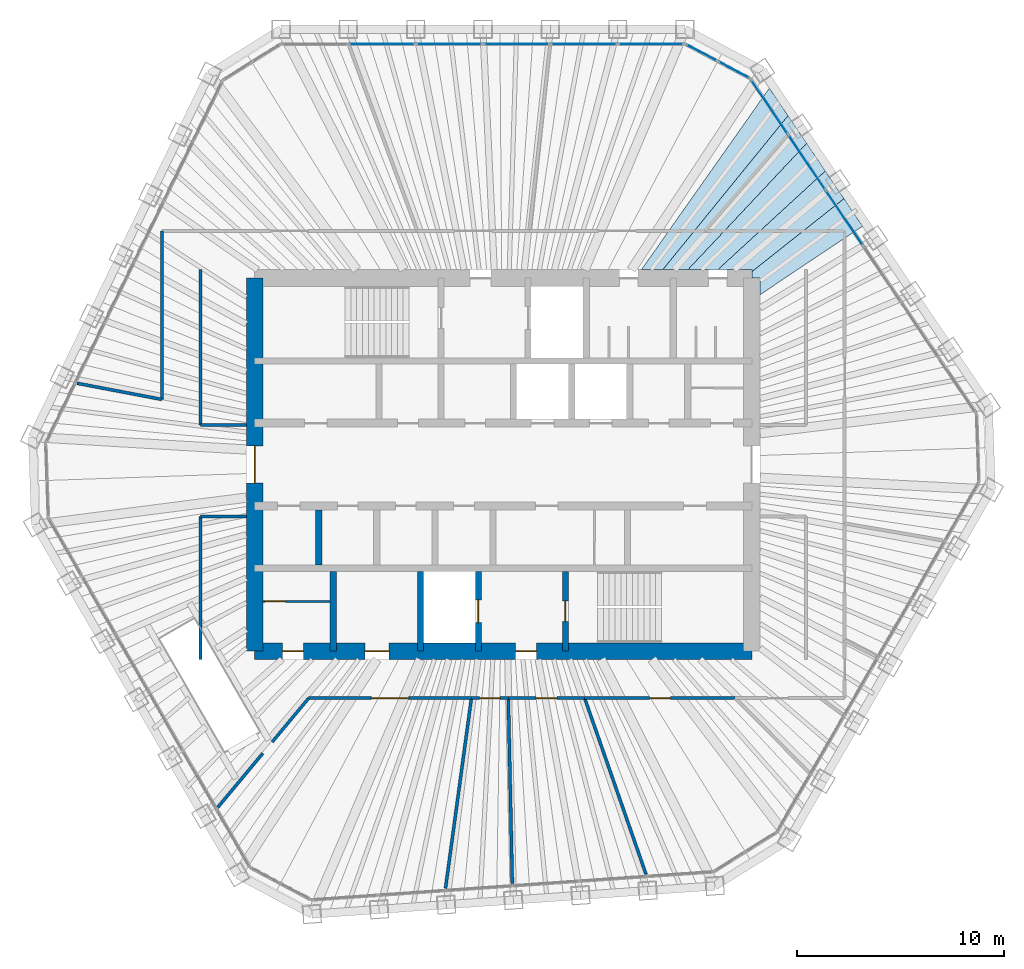
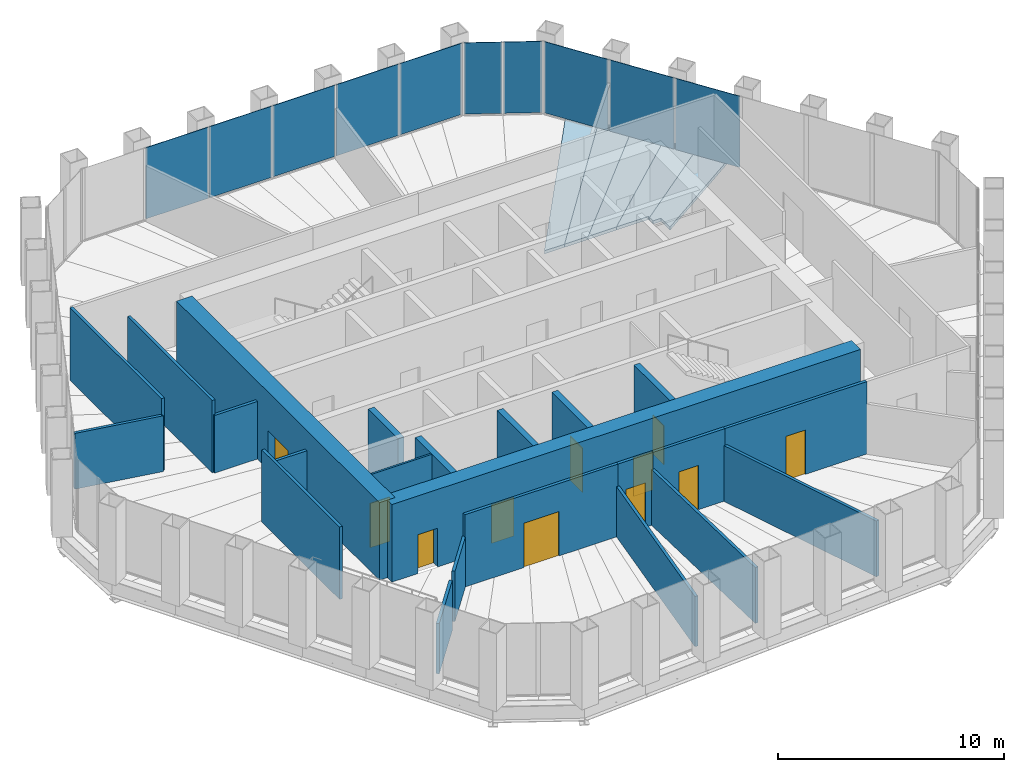
# One storey, part 11 of 14: 23 walls, 11 doors, 10 plates, 5 slabs, 11 openings, 3 elements without a shape of their own.
"""IFC4 building model written with IfcOpenShell, lengths in metres."""

import ifcopenshell
import ifcopenshell.guid

model = None  # the IFC model being written
_history = None  # IfcOwnerHistory: only IFC2X3 demands one
_inside = {}  # id of a spatial element -> (the spatial element, [elements in it])
_under = {}  # id of a project, library or spatial element -> (it, [spatial elements below it])
_declared = {}  # id of a project -> (the project, [libraries it declares])
_typed = {}  # id of a type object -> (the type object, [elements of that type])
_made_of = {}  # id of a material, layer set ... -> (it, [elements and type objects made of it])


def new_model(schema):
    """Start an empty IFC model of exactly this schema.

    Asked for "IFC4X3", IfcOpenShell would pick the latest addendum, in which some entities
    have other attributes; the version numbers below select the first issue.
    IFC2X3 requires an IfcOwnerHistory on every rooted entity: one is made here for all.
    """
    global model, _history
    if schema == "IFC4X3":
        model = ifcopenshell.file(schema_version=(4, 3, 0, 0))
    else:
        model = ifcopenshell.file(schema=schema)
    _inside.clear()
    _under.clear()
    _declared.clear()
    _typed.clear()
    _made_of.clear()
    _history = None
    if model.schema == "IFC2X3":
        org = make("IfcOrganization", Name="unknown")
        user = make(
            "IfcPersonAndOrganization",
            ThePerson=make("IfcPerson", FamilyName="unknown"),
            TheOrganization=org,
        )
        app = make(
            "IfcApplication",
            ApplicationDeveloper=org,
            Version="unknown",
            ApplicationFullName="unknown",
            ApplicationIdentifier="unknown",
        )
        _history = make(
            "IfcOwnerHistory",
            OwningUser=user,
            OwningApplication=app,
            ChangeAction="ADDED",
            CreationDate=0,
        )
    return model


def make(cls, **values):
    """One entity of the class cls with the attributes given. An attribute that is None is left unset."""
    return model.create_entity(
        cls, **{name: value for name, value in values.items() if value is not None}
    )


def rooted(cls, **values):
    """An entity with a GlobalId (a new one), such as an element, a storey or a relation."""
    return make(cls, GlobalId=ifcopenshell.guid.new(), OwnerHistory=_history, **values)


def si_unit(unit_type, name, prefix=None):
    """IfcSIUnit, for example si_unit("LENGTHUNIT", "METRE", prefix="MILLI")."""
    return make("IfcSIUnit", UnitType=unit_type, Prefix=prefix, Name=name)


def assignment(units):
    """IfcUnitAssignment: the units of a project."""
    return None if units is None else make("IfcUnitAssignment", Units=units)


def point(xyz):
    """IfcCartesianPoint."""
    return None if xyz is None else make("IfcCartesianPoint", Coordinates=xyz)


def direction(xyz):
    """IfcDirection."""
    return None if xyz is None else make("IfcDirection", DirectionRatios=xyz)


def frame(location, z_axis=None, x_axis=None):
    """IfcAxis2Placement3D, a coordinate frame: its origin and axes. An axis left out is left unset."""
    return make(
        "IfcAxis2Placement3D",
        Location=point(location),
        Axis=direction(z_axis),
        RefDirection=direction(x_axis),
    )


def frame_2d(location, x_axis=None):
    """IfcAxis2Placement2D, a coordinate frame in the plane: its origin and x axis."""
    return make(
        "IfcAxis2Placement2D", Location=point(location), RefDirection=direction(x_axis)
    )


def origin():
    """The frame at (0, 0, 0) with its axes left unset."""
    return frame((0.0, 0.0, 0.0))


def origin_2d():
    """The frame at (0, 0) in the plane with its x axis left unset."""
    return frame_2d((0.0, 0.0))


def place(relative_to, where):
    """IfcLocalPlacement: puts the frame where relative to a parent placement (None: the world)."""
    return make(
        "IfcLocalPlacement", PlacementRelTo=relative_to, RelativePlacement=where
    )


def context(
    kind, dimensions, precision=None, world=None, true_north=None, identifier=None
):
    """IfcGeometricRepresentationContext, for example the 3D "Model" context."""
    return make(
        "IfcGeometricRepresentationContext",
        ContextIdentifier=identifier,
        ContextType=kind,
        CoordinateSpaceDimension=dimensions,
        Precision=precision,
        WorldCoordinateSystem=world,
        TrueNorth=true_north,
    )


def subcontext(parent, identifier, kind, view, scale=None):
    """IfcGeometricRepresentationSubContext, for example "Body" below "Model"."""
    return make(
        "IfcGeometricRepresentationSubContext",
        ContextIdentifier=identifier,
        ContextType=kind,
        ParentContext=parent,
        TargetScale=scale,
        TargetView=view,
    )


def project(units=None, contexts=None):
    """IfcProject with its units and contexts."""
    return rooted(
        "IfcProject",
        Name="project",
        RepresentationContexts=contexts,
        UnitsInContext=assignment(units),
    )


def spatial(cls, under=None, at=None, **own):
    """A site, building, storey or space (cls), placed at a placement, below another one or the project."""
    s = rooted(cls, ObjectPlacement=at, **own)
    if under is not None:
        _under.setdefault(under.id(), (under, []))[1].append(s)
    return s


def polyline(points):
    """IfcPolyline through the points."""
    return make("IfcPolyline", Points=[point(p) for p in points])


def profile(cls, at=None, kind="AREA", **sizes):
    """A parametric profile (cls). Its sizes go by their IFC names, for example OverallWidth=200.0."""
    return make(cls, ProfileType=kind, Position=at, **sizes)


def rectangle(**sizes):
    """IfcRectangleProfileDef."""
    return profile("IfcRectangleProfileDef", **sizes)


def outline(outer, holes=None, kind="AREA"):
    """IfcArbitraryClosedProfileDef: a profile drawn as a closed curve; with holes, ...WithVoids."""
    if holes is None:
        return make("IfcArbitraryClosedProfileDef", ProfileType=kind, OuterCurve=outer)
    return make(
        "IfcArbitraryProfileDefWithVoids",
        ProfileType=kind,
        OuterCurve=outer,
        InnerCurves=holes,
    )


def extrude(swept, where, along, depth):
    """IfcExtrudedAreaSolid: the profile swept, set in the frame where, extruded along a direction by depth."""
    return make(
        "IfcExtrudedAreaSolid",
        SweptArea=swept,
        Position=where,
        ExtrudedDirection=direction(along),
        Depth=depth,
    )


def shape(context_of_items, identifier, shape_type, items):
    """IfcShapeRepresentation: the items that make up one representation, for example the "Body"."""
    return make(
        "IfcShapeRepresentation",
        ContextOfItems=context_of_items,
        RepresentationIdentifier=identifier,
        RepresentationType=shape_type,
        Items=items,
    )


def material(Name=None, Category=None):
    """IfcMaterial."""
    return make("IfcMaterial", Name=Name, Category=Category)


def layer(
    of_material, thickness, ventilated=None, Name=None, Category=None, Priority=None
):
    """IfcMaterialLayer: one layer of a wall or slab, of a material (None: an air gap)."""
    return make(
        "IfcMaterialLayer",
        Material=of_material,
        LayerThickness=thickness,
        IsVentilated=ventilated,
        Name=Name,
        Category=Category,
        Priority=Priority,
    )


def layer_set(layers, Name=None):
    """IfcMaterialLayerSet."""
    return make("IfcMaterialLayerSet", MaterialLayers=layers, LayerSetName=Name)


def made_of(thing, what):
    """Note that an element or type object is made of a material, layer set ...; save() writes the relation."""
    if what is not None:
        _made_of.setdefault(what.id(), (what, []))[1].append(thing)
    return thing


def type_object(cls, material=None, **own):
    """A type object (cls), such as IfcWallType, which elements share."""
    return made_of(rooted(cls, **own), material)


def element(
    cls,
    number,
    at=None,
    inside=None,
    cuts=None,
    type_object=None,
    material=None,
    context=None,
    identifier="Body",
    shape_type=None,
    held_by="IfcProductDefinitionShape",
    body=None,
    shapes=None,
    **own,
):
    """One element of the class cls, such as IfcWall. Its Tag is "e" and its number.

    at: its placement. inside: the storey or other place that contains it. cuts: it is an
    opening in that element (IfcRelVoidsElement). A single representation is given by context,
    identifier, shape_type and body (its items); several are given by shapes. held_by: the class
    of the entity that holds the representations. save() writes the other relations.
    """
    e = rooted(cls, Tag="e%d" % number, ObjectPlacement=at, **own)
    if body is not None:
        shapes = [shape(context, identifier, shape_type, body)]
    if shapes is not None:
        e.Representation = make(held_by, Representations=shapes)
    if inside is not None:
        _inside.setdefault(inside.id(), (inside, []))[1].append(e)
    if cuts is not None:
        rooted(
            "IfcRelVoidsElement", RelatingBuildingElement=cuts, RelatedOpeningElement=e
        )
    if type_object is not None:
        _typed.setdefault(type_object.id(), (type_object, []))[1].append(e)
    return made_of(e, material)


def fill(opening, filler):
    """IfcRelFillsElement: the door or window that sits in an opening."""
    return rooted(
        "IfcRelFillsElement",
        RelatingOpeningElement=opening,
        RelatedBuildingElement=filler,
    )


def aggregate(whole, parts):
    """IfcRelAggregates: a whole, such as a stair, and the parts it consists of."""
    return rooted("IfcRelAggregates", RelatingObject=whole, RelatedObjects=parts)


def save(model, path):
    """Write the relations noted so far, then the file.

    IfcRelAggregates (storeys below a building ...), IfcRelContainedInSpatialStructure (elements
    in a storey), IfcRelDefinesByType, IfcRelAssociatesMaterial and IfcRelDeclares: one each for
    every whole, place, type object, material and project.
    """
    for whole, parts in _under.values():
        aggregate(whole, parts)
    for where, things in _inside.values():
        rooted(
            "IfcRelContainedInSpatialStructure",
            RelatedElements=things,
            RelatingStructure=where,
        )
    for kind, things in _typed.values():
        rooted("IfcRelDefinesByType", RelatedObjects=things, RelatingType=kind)
    for what, things in _made_of.values():
        rooted("IfcRelAssociatesMaterial", RelatedObjects=things, RelatingMaterial=what)
    for by, libraries in _declared.values():
        rooted("IfcRelDeclares", RelatingContext=by, RelatedDefinitions=libraries)
    model.write(path)


model = new_model("IFC4")

# Units and contexts
model_context = context("Model", 3, precision=1e-05, world=origin(), true_north=direction((0.0, 1.0)))
body_context = subcontext(model_context, "Body", "Model", "MODEL_VIEW")
ifc_project = project(units=[si_unit("LENGTHUNIT", "METRE"), si_unit("AREAUNIT", "SQUARE_METRE"), si_unit("VOLUMEUNIT", "CUBIC_METRE"), si_unit("PLANEANGLEUNIT", "RADIAN"), si_unit("MASSUNIT", "GRAM", prefix="KILO")], contexts=[model_context])

# Site, building, storey
site_placement = place(None, origin())
site = spatial("IfcSite", under=ifc_project, at=site_placement, CompositionType="ELEMENT")
building_placement = place(site_placement, origin())
building = spatial("IfcBuilding", under=site, at=building_placement, Name="Qingtian Harvest Tower", CompositionType="ELEMENT")
storey_placement = place(building_placement, frame((0.0, 0.0, 333.39990234375)))
storey = spatial("IfcBuildingStorey", under=building, at=storey_placement, Name="L74", CompositionType="ELEMENT", Elevation=333.39990234375)

# Slabs
ifc_material_1 = material(Name="Concrete fc' 35 MPa", Category="concrete")
ifc_layer_1 = layer(ifc_material_1, 0.169921875)
ifc_layer_set_1 = layer_set([ifc_layer_1], Name="Composite floor slab FS17 170")
slab_type = type_object("IfcSlabType", Name="Composite floor slab FS17 170", PredefinedType="FLOOR", material=ifc_layer_set_1)
slab_1_placement = place(storey_placement, frame((0.0, 0.0, -0.169921875)))
element("IfcSlab", 1, at=slab_1_placement, inside=storey, type_object=slab_type, Name="Floor slab L74 panel D47", PredefinedType="FLOOR", context=body_context, shape_type="SweptSolid", body=[
    extrude(outline(polyline([(12.39990234375, 9.0), (12.0, 9.0), (12.0, 9.30908203125), (16.44140625, 12.830078125), (17.340576171875, 11.4970703125), (12.39990234375, 8.199462890625), (12.39990234375, 9.0)])), origin(), (0.0, 0.0, 1.0), 0.169921875),
])
slab_2_placement = place(storey_placement, frame((0.0, 0.0, -0.169921875)))
element("IfcSlab", 2, at=slab_2_placement, inside=storey, type_object=slab_type, Name="Floor slab L74 panel D48", PredefinedType="FLOOR", context=body_context, shape_type="SweptSolid", body=[
    extrude(outline(polyline([(12.0, 9.39990234375), (10.349853515625, 9.39990234375), (15.541259765625, 14.164794921875), (16.44140625, 12.830078125), (12.0, 9.30908203125), (12.0, 9.39990234375)])), origin(), (0.0, 0.0, 1.0), 0.169921875),
])
slab_3_placement = place(storey_placement, frame((0.0, 0.0, -0.169921875)))
element("IfcSlab", 3, at=slab_3_placement, inside=storey, type_object=slab_type, Name="Floor slab L74 panel D49", PredefinedType="FLOOR", context=body_context, shape_type="SweptSolid", body=[
    extrude(outline(polyline([(8.907958984375, 9.39990234375), (14.641357421875, 15.498779296875), (15.541259765625, 14.164794921875), (10.349853515625, 9.39990234375), (8.907958984375, 9.39990234375)])), origin(), (0.0, 0.0, 1.0), 0.169921875),
])
slab_4_placement = place(storey_placement, frame((0.0, 0.0, -0.169921875)))
element("IfcSlab", 4, at=slab_4_placement, inside=storey, type_object=slab_type, Name="Floor slab L74 panel D50", PredefinedType="FLOOR", context=body_context, shape_type="SweptSolid", body=[
    extrude(outline(polyline([(7.695556640625, 9.39990234375), (13.74169921875, 16.832763671875), (14.641357421875, 15.498779296875), (8.907958984375, 9.39990234375), (7.695556640625, 9.39990234375)])), origin(), (0.0, 0.0, 1.0), 0.169921875),
])
slab_5_placement = place(storey_placement, frame((0.0, 0.0, -0.169921875)))
element("IfcSlab", 5, at=slab_5_placement, inside=storey, type_object=slab_type, Name="Floor slab L74 panel D51", PredefinedType="FLOOR", context=body_context, shape_type="SweptSolid", body=[
    extrude(outline(polyline([(6.662109375, 9.39990234375), (12.841796875, 18.16650390625), (13.74169921875, 16.832763671875), (7.695556640625, 9.39990234375), (6.662109375, 9.39990234375)])), origin(), (0.0, 0.0, 1.0), 0.169921875),
])

# Curtain wall, plates
ifc_material_2 = material(Name="Bronze-anodised aluminium curtain wall", Category="aluminium")
curtain_wall_type = type_object("IfcCurtainWallType", Name="Curtain wall CW6 executive floors", PredefinedType="USERDEFINED", material=ifc_material_2)
curtain_wall_1_placement = place(storey_placement, origin())
curtain_wall_1 = element("IfcCurtainWall", 6, at=curtain_wall_1_placement, inside=storey, type_object=curtain_wall_type, Name="Curtain wall CW6 L74 N0-5", ObjectType="RECESSED CURTAIN WALL", PredefinedType="USERDEFINED")
ifc_material_3 = material(Name="Bronze-tinted laminated insulating glass", Category="glass")
ifc_layer_2 = layer(ifc_material_3, 0.030029296875)
ifc_layer_set_2 = layer_set([ifc_layer_2], Name="Glazed panel CWP tinted IGU")
plate_type = type_object("IfcPlateType", Name="Glazed panel CWP tinted IGU", PredefinedType="CURTAIN_PANEL", material=ifc_layer_set_2)
plate_1_placement = place(storey_placement, frame((-5.85009765625, 20.300048828125, 0.065185546875), z_axis=(0.0, 0.0, 1.0), x_axis=(1.0, 0.0, 0.0)))
plate_1 = element("IfcPlate", 7, at=plate_1_placement, type_object=plate_type, Name="CW6 panel 2.1", PredefinedType="CURTAIN_PANEL", context=body_context, shape_type="SweptSolid", body=[
    extrude(rectangle(XDim=3.18310546875, YDim=0.030029296875, at=origin_2d()), origin(), (0.0, 0.0, 1.0), 3.85498046875),
])
plate_2_placement = place(storey_placement, frame((-2.602294921875, 20.300048828125, 0.065185546875), z_axis=(0.0, 0.0, 1.0), x_axis=(1.0, 0.0, 0.0)))
plate_2 = element("IfcPlate", 8, at=plate_2_placement, type_object=plate_type, Name="CW6 panel 3.1", PredefinedType="CURTAIN_PANEL", context=body_context, shape_type="SweptSolid", body=[
    extrude(rectangle(XDim=3.18310546875, YDim=0.030029296875, at=origin_2d()), origin(), (0.0, 0.0, 1.0), 3.85498046875),
])
plate_3_placement = place(storey_placement, frame((0.645751953125, 20.300048828125, 0.065185546875), z_axis=(0.0, 0.0, 1.0), x_axis=(1.0, 0.0, 0.0)))
plate_3 = element("IfcPlate", 9, at=plate_3_placement, type_object=plate_type, Name="CW6 panel 4.1", PredefinedType="CURTAIN_PANEL", context=body_context, shape_type="SweptSolid", body=[
    extrude(rectangle(XDim=3.18310546875, YDim=0.030029296875, at=origin_2d()), origin(), (0.0, 0.0, 1.0), 3.85498046875),
])
plate_4_placement = place(storey_placement, frame((3.893798828125, 20.300048828125, 0.065185546875), z_axis=(0.0, 0.0, 1.0), x_axis=(1.0, 0.0, 0.0)))
plate_4 = element("IfcPlate", 10, at=plate_4_placement, type_object=plate_type, Name="CW6 panel 5.1", PredefinedType="CURTAIN_PANEL", context=body_context, shape_type="SweptSolid", body=[
    extrude(rectangle(XDim=3.18310546875, YDim=0.030029296875, at=origin_2d()), origin(), (0.0, 0.0, 1.0), 3.85498046875),
])
plate_5_placement = place(storey_placement, frame((7.125732421875, 20.300048828125, 0.065185546875), z_axis=(0.0, 0.0, 1.0), x_axis=(1.0, 0.0, 0.0)))
plate_5 = element("IfcPlate", 11, at=plate_5_placement, type_object=plate_type, Name="CW6 panel 6.1", PredefinedType="CURTAIN_PANEL", context=body_context, shape_type="SweptSolid", body=[
    extrude(rectangle(XDim=3.150634765625, YDim=0.030029296875, at=origin_2d()), origin(), (0.0, 0.0, 1.0), 3.85498046875),
])
aggregate(curtain_wall_1, [plate_1, plate_2, plate_3, plate_4, plate_5])

curtain_wall_2_placement = place(storey_placement, origin())
curtain_wall_2 = element("IfcCurtainWall", 12, at=curtain_wall_2_placement, inside=storey, type_object=curtain_wall_type, Name="Curtain wall CW6 L74 NC", ObjectType="RECESSED CURTAIN WALL", PredefinedType="USERDEFINED")
plate_6_placement = place(storey_placement, frame((9.57080078125, 19.8720703125, 0.065185546875), z_axis=(0.0, 0.0, 1.0), x_axis=(0.882947592859, -0.469471562786, 0.0)))
plate_6 = element("IfcPlate", 13, at=plate_6_placement, type_object=plate_type, Name="CW6 panel 1.1", PredefinedType="CURTAIN_PANEL", context=body_context, shape_type="SweptSolid", body=[
    extrude(rectangle(XDim=1.69287109375, YDim=0.030029296875, at=origin_2d()), origin(), (0.0, 0.0, 1.0), 3.85498046875),
])
plate_7_placement = place(storey_placement, frame((11.122802734375, 19.046875, 0.065185546875), z_axis=(0.0, 0.0, 1.0), x_axis=(0.882947592859, -0.469471562786, 0.0)))
plate_7 = element("IfcPlate", 14, at=plate_7_placement, type_object=plate_type, Name="CW6 panel 2.1", PredefinedType="CURTAIN_PANEL", context=body_context, shape_type="SweptSolid", body=[
    extrude(rectangle(XDim=1.69287109375, YDim=0.030029296875, at=origin_2d()), origin(), (0.0, 0.0, 1.0), 3.85498046875),
])
aggregate(curtain_wall_2, [plate_6, plate_7])

curtain_wall_3_placement = place(storey_placement, origin())
curtain_wall_3 = element("IfcCurtainWall", 15, at=curtain_wall_3_placement, inside=storey, type_object=curtain_wall_type, Name="Curtain wall CW6 L74 NE0-5", ObjectType="RECESSED CURTAIN WALL", PredefinedType="USERDEFINED")
plate_8_placement = place(storey_placement, frame((12.844970703125, 17.259033203125, 0.065185546875), z_axis=(0.0, 0.0, 1.0), x_axis=(0.559192903471, -0.829037572555, 0.0)))
plate_8 = element("IfcPlate", 16, at=plate_8_placement, type_object=plate_type, Name="CW6 panel 1.1", PredefinedType="CURTAIN_PANEL", context=body_context, shape_type="SweptSolid", body=[
    extrude(rectangle(XDim=3.150634765625, YDim=0.030029296875, at=origin_2d()), origin(), (0.0, 0.0, 1.0), 3.85498046875),
])
plate_9_placement = place(storey_placement, frame((14.652099609375, 14.579833984375, 0.065185546875), z_axis=(0.0, 0.0, 1.0), x_axis=(0.559192903471, -0.829037572555, 0.0)))
plate_9 = element("IfcPlate", 17, at=plate_9_placement, type_object=plate_type, Name="CW6 panel 2.1", PredefinedType="CURTAIN_PANEL", context=body_context, shape_type="SweptSolid", body=[
    extrude(rectangle(XDim=3.18310546875, YDim=0.030029296875, at=origin_2d()), origin(), (0.0, 0.0, 1.0), 3.85498046875),
])
plate_10_placement = place(storey_placement, frame((16.46826171875, 11.886962890625, 0.065185546875), z_axis=(0.0, 0.0, 1.0), x_axis=(0.559192903471, -0.829037572555, 0.0)))
plate_10 = element("IfcPlate", 18, at=plate_10_placement, type_object=plate_type, Name="CW6 panel 3.1", PredefinedType="CURTAIN_PANEL", context=body_context, shape_type="SweptSolid", body=[
    extrude(rectangle(XDim=3.18310546875, YDim=0.030029296875, at=origin_2d()), origin(), (0.0, 0.0, 1.0), 3.85498046875),
])
aggregate(curtain_wall_3, [plate_8, plate_9, plate_10])

# Walls
ifc_material_4 = material(Name="Precast concrete shaft panel", Category="concrete")
ifc_layer_3 = layer(ifc_material_4, 0.300048828125)
ifc_layer_set_3 = layer_set([ifc_layer_3], Name="Core shaft partition SW1 300")
wall_type_1 = type_object("IfcWallType", Name="Core shaft partition SW1 300", PredefinedType="PARTITIONING", material=ifc_layer_set_3)
wall_1_placement = place(storey_placement, frame((-8.89990234375, -4.85009765625, 0.0), z_axis=(0.0, 0.0, 1.0), x_axis=(0.0, 1.0, 0.0)))
element("IfcWall", 19, at=wall_1_placement, inside=storey, type_object=wall_type_1, Name="Core shaft partition XB1 L74", PredefinedType="PARTITIONING", context=body_context, shape_type="SweptSolid", body=[
    extrude(rectangle(XDim=2.650146484375, YDim=0.300048828125, at=frame_2d((1.3251953125, 0.0))), origin(), (0.0, 0.0, 1.0), 3.97998046875),
])
for number, where, z_axis, x_axis, name in (
    (20, (-8.199951171875, -9.0, 0.0), (0.0, 0.0, 1.0), (0.0, 1.0, 0.0), "Core shaft partition XS1 L74"),
    (21, (-4.0, -9.0, 0.0), (0.0, 0.0, 1.0), (0.0, 1.0, 0.0), "Core shaft partition XS2 L74"),
):
    element("IfcWall", number, at=place(storey_placement, frame(where, z_axis=z_axis, x_axis=x_axis)), inside=storey, type_object=wall_type_1, Name=name, PredefinedType="PARTITIONING", context=body_context, shape_type="SweptSolid", body=[
        extrude(rectangle(XDim=3.85009765625, YDim=0.300048828125, at=frame_2d((1.925048828125, 0.0))), origin(), (0.0, 0.0, 1.0), 3.97998046875),
    ])

# Wall, opening, door
wall_2_placement = place(storey_placement, frame((-1.199951171875, -9.0, 0.0), z_axis=(0.0, 0.0, 1.0), x_axis=(0.0, 1.0, 0.0)))
wall_2 = element("IfcWall", 22, at=wall_2_placement, inside=storey, type_object=wall_type_1, Name="Core shaft partition XS3 L74", PredefinedType="PARTITIONING", context=body_context, shape_type="SweptSolid", body=[
    extrude(rectangle(XDim=3.85009765625, YDim=0.300048828125, at=frame_2d((1.925048828125, 0.0))), origin(), (0.0, 0.0, 1.0), 3.97998046875),
])
opening_1_placement = place(wall_2_placement, frame((1.375, 0.0, 0.0)))
opening_1 = element("IfcOpeningElement", 23, at=opening_1_placement, cuts=wall_2, Name="Opening LD1", PredefinedType="OPENING", context=body_context, shape_type="SweptSolid", body=[
    extrude(rectangle(XDim=1.10009765625, YDim=2.39990234375, at=frame_2d((0.550048828125, 1.199951171875))), frame((0.0, 0.159912109375, 0.0), z_axis=(0.0, -1.0, 0.0), x_axis=(1.0, 0.0, 0.0)), (0.0, 0.0, 1.0), 0.320068359375),
])
ifc_material_5 = material(Name="Stainless steel lift landing door", Category="steel")
door_type_1 = type_object("IfcDoorType", Name="Lift landing door LD1 1 HR", OperationType="DOUBLE_DOOR_SLIDING", PredefinedType="DOOR", material=ifc_material_5)
door_1_placement = place(opening_1_placement, origin())
door_1 = element("IfcDoor", 24, at=door_1_placement, inside=storey, type_object=door_type_1, Name="FL2 landing door L74", OperationType="DOUBLE_DOOR_SLIDING", OverallHeight=2.39990234375, OverallWidth=1.10009765625, PredefinedType="DOOR", context=body_context, shape_type="SweptSolid", body=[
    extrude(rectangle(XDim=1.10009765625, YDim=2.39990234375, at=frame_2d((0.550048828125, 1.199951171875))), frame((0.0, 0.02490234375, 0.0), z_axis=(0.0, -1.0, 0.0), x_axis=(1.0, 0.0, 0.0)), (0.0, 0.0, 1.0), 0.050048828125),
])
fill(opening_1, door_1)

wall_3_placement = place(storey_placement, frame((3.0, -9.0, 0.0), z_axis=(0.0, 0.0, 1.0), x_axis=(0.0, 1.0, 0.0)))
wall_3 = element("IfcWall", 25, at=wall_3_placement, inside=storey, type_object=wall_type_1, Name="Core shaft partition XS4 L74", PredefinedType="PARTITIONING", context=body_context, shape_type="SweptSolid", body=[
    extrude(rectangle(XDim=3.85009765625, YDim=0.300048828125, at=frame_2d((1.925048828125, 0.0))), origin(), (0.0, 0.0, 1.0), 3.97998046875),
])
opening_2_placement = place(wall_3_placement, frame((1.425048828125, 0.0, 0.0)))
opening_2 = element("IfcOpeningElement", 26, at=opening_2_placement, cuts=wall_3, Name="Opening FD1", PredefinedType="OPENING", context=body_context, shape_type="SweptSolid", body=[
    extrude(rectangle(XDim=1.0, YDim=2.10009765625, at=frame_2d((0.5, 1.050048828125))), frame((0.0, 0.159912109375, 0.0), z_axis=(0.0, -1.0, 0.0), x_axis=(1.0, 0.0, 0.0)), (0.0, 0.0, 1.0), 0.320068359375),
])
ifc_material_6 = material(Name="Steel-faced door leaf", Category="steel")
door_type_2 = type_object("IfcDoorType", Name="Fire door FD1 single 1 HR", OperationType="SINGLE_SWING_LEFT", PredefinedType="DOOR", material=ifc_material_6)
door_2_placement = place(opening_2_placement, origin())
door_2 = element("IfcDoor", 27, at=door_2_placement, inside=storey, type_object=door_type_2, Name="S2 door L74", OperationType="SINGLE_SWING_LEFT", OverallHeight=2.10009765625, OverallWidth=1.0, PredefinedType="DOOR", context=body_context, shape_type="SweptSolid", body=[
    extrude(rectangle(XDim=1.0, YDim=2.10009765625, at=frame_2d((0.5, 1.050048828125))), frame((0.0, 0.02490234375, 0.0), z_axis=(0.0, -1.0, 0.0), x_axis=(1.0, 0.0, 0.0)), (0.0, 0.0, 1.0), 0.050048828125),
])
fill(opening_2, door_2)

# Wall, openings, doors
ifc_material_7 = material(Name="Concrete fc' 70 MPa", Category="concrete")
ifc_layer_4 = layer(ifc_material_7, 0.800048828125)
ifc_layer_set_4 = layer_set([ifc_layer_4], Name="Core wall RC4 800")
wall_type_2 = type_object("IfcWallType", Name="Core wall RC4 800", PredefinedType="SHEAR", material=ifc_layer_set_4)
wall_4_placement = place(storey_placement, frame((-12.0, -9.0, 0.0), z_axis=(0.0, 0.0, 1.0), x_axis=(1.0, 0.0, 0.0)))
wall_4 = element("IfcWall", 28, at=wall_4_placement, inside=storey, type_object=wall_type_2, Name="Core wall CS L74", PredefinedType="SHEAR", context=body_context, shape_type="SweptSolid", body=[
    extrude(rectangle(XDim=24.0, YDim=0.800048828125, at=frame_2d((12.0, 0.0))), origin(), (0.0, 0.0, 1.0), 4.2001953125),
])
opening_3_placement = place(wall_4_placement, frame((1.35009765625, 0.0, 0.0)))
opening_3 = element("IfcOpeningElement", 29, at=opening_3_placement, cuts=wall_4, Name="Opening FD1", PredefinedType="OPENING", context=body_context, shape_type="SweptSolid", body=[
    extrude(rectangle(XDim=1.0, YDim=2.10009765625, at=frame_2d((0.5, 1.050048828125))), frame((0.0, 0.409912109375, 0.0), z_axis=(0.0, -1.0, 0.0), x_axis=(1.0, 0.0, 0.0)), (0.0, 0.0, 1.0), 0.820068359375),
])
opening_4_placement = place(wall_4_placement, frame((5.324951171875, 0.0, 0.0)))
opening_4 = element("IfcOpeningElement", 30, at=opening_4_placement, cuts=wall_4, Name="Opening AD1", PredefinedType="OPENING", context=body_context, shape_type="SweptSolid", body=[
    extrude(rectangle(XDim=1.14990234375, YDim=2.10009765625, at=frame_2d((0.574951171875, 1.050048828125))), frame((0.0, 0.409912109375, 0.0), z_axis=(0.0, -1.0, 0.0), x_axis=(1.0, 0.0, 0.0)), (0.0, 0.0, 1.0), 0.820068359375),
])
opening_5_placement = place(wall_4_placement, frame((12.60009765625, 0.0, 0.0)))
opening_5 = element("IfcOpeningElement", 31, at=opening_5_placement, cuts=wall_4, Name="Opening FD1", PredefinedType="OPENING", context=body_context, shape_type="SweptSolid", body=[
    extrude(rectangle(XDim=1.0, YDim=2.10009765625, at=frame_2d((0.5, 1.050048828125))), frame((0.0, 0.409912109375, 0.0), z_axis=(0.0, -1.0, 0.0), x_axis=(1.0, 0.0, 0.0)), (0.0, 0.0, 1.0), 0.820068359375),
])
ifc_material_8 = material(Name="Laminated timber door leaf", Category="wood")
door_type_3 = type_object("IfcDoorType", Name="Accessible WC door AD1 single", OperationType="SINGLE_SWING_LEFT", PredefinedType="DOOR", material=ifc_material_8)
door_3_placement = place(opening_4_placement, origin())
door_3 = element("IfcDoor", 32, at=door_3_placement, inside=storey, type_object=door_type_3, Name="AWC door L74", OperationType="SINGLE_SWING_RIGHT", OverallHeight=2.10009765625, OverallWidth=1.14990234375, PredefinedType="DOOR", context=body_context, shape_type="SweptSolid", body=[
    extrude(rectangle(XDim=1.14990234375, YDim=2.10009765625, at=frame_2d((0.574951171875, 1.050048828125))), frame((0.0, 0.02490234375, 0.0), z_axis=(0.0, -1.0, 0.0), x_axis=(1.0, 0.0, 0.0)), (0.0, 0.0, 1.0), 0.050048828125),
])
fill(opening_4, door_3)
door_4_placement = place(opening_3_placement, origin())
door_4 = element("IfcDoor", 33, at=door_4_placement, inside=storey, type_object=door_type_2, Name="CLN door L74", OperationType="SINGLE_SWING_LEFT", OverallHeight=2.10009765625, OverallWidth=1.0, PredefinedType="DOOR", context=body_context, shape_type="SweptSolid", body=[
    extrude(rectangle(XDim=1.0, YDim=2.10009765625, at=frame_2d((0.5, 1.050048828125))), frame((0.0, 0.02490234375, 0.0), z_axis=(0.0, -1.0, 0.0), x_axis=(1.0, 0.0, 0.0)), (0.0, 0.0, 1.0), 0.050048828125),
])
fill(opening_3, door_4)
door_5_placement = place(opening_5_placement, origin())
door_5 = element("IfcDoor", 34, at=door_5_placement, inside=storey, type_object=door_type_2, Name="V2 door L74", OperationType="SINGLE_SWING_LEFT", OverallHeight=2.10009765625, OverallWidth=1.0, PredefinedType="DOOR", context=body_context, shape_type="SweptSolid", body=[
    extrude(rectangle(XDim=1.0, YDim=2.10009765625, at=frame_2d((0.5, 1.050048828125))), frame((0.0, 0.02490234375, 0.0), z_axis=(0.0, -1.0, 0.0), x_axis=(1.0, 0.0, 0.0)), (0.0, 0.0, 1.0), 0.050048828125),
])
fill(opening_5, door_5)

# Wall, opening, door
wall_5_placement = place(storey_placement, frame((-12.0, -9.0, 0.0), z_axis=(0.0, 0.0, 1.0), x_axis=(0.0, 1.0, 0.0)))
wall_5 = element("IfcWall", 35, at=wall_5_placement, inside=storey, type_object=wall_type_2, Name="Core wall CW L74", PredefinedType="SHEAR", context=body_context, shape_type="SweptSolid", body=[
    extrude(rectangle(XDim=18.0, YDim=0.800048828125, at=frame_2d((9.0, 0.0))), origin(), (0.0, 0.0, 1.0), 4.2001953125),
])
opening_6_placement = place(wall_5_placement, frame((8.10009765625, 0.0, 0.0)))
opening_6 = element("IfcOpeningElement", 36, at=opening_6_placement, cuts=wall_5, Name="Opening FD2", PredefinedType="OPENING", context=body_context, shape_type="SweptSolid", body=[
    extrude(rectangle(XDim=1.800048828125, YDim=2.10009765625, at=frame_2d((0.89990234375, 1.050048828125))), frame((0.0, 0.409912109375, 0.0), z_axis=(0.0, -1.0, 0.0), x_axis=(1.0, 0.0, 0.0)), (0.0, 0.0, 1.0), 0.820068359375),
])
ifc_material_9 = material(Name="Steel-faced door leaf", Category="steel")
door_type_4 = type_object("IfcDoorType", Name="Fire door FD2 double 1 HR", OperationType="DOUBLE_DOOR_DOUBLE_SWING", PredefinedType="DOOR", material=ifc_material_9)
door_6_placement = place(opening_6_placement, origin())
door_6 = element("IfcDoor", 37, at=door_6_placement, inside=storey, type_object=door_type_4, Name="LOBBY-W door L74", OperationType="DOUBLE_DOOR_DOUBLE_SWING", OverallHeight=2.10009765625, OverallWidth=1.800048828125, PredefinedType="DOOR", context=body_context, shape_type="SweptSolid", body=[
    extrude(rectangle(XDim=1.800048828125, YDim=2.10009765625, at=frame_2d((0.89990234375, 1.050048828125))), frame((0.0, 0.02490234375, 0.0), z_axis=(0.0, -1.0, 0.0), x_axis=(1.0, 0.0, 0.0)), (0.0, 0.0, 1.0), 0.050048828125),
])
fill(opening_6, door_6)

# Walls
ifc_material_10 = material(Name="Gypsum board on steel studs", Category="steel")
ifc_layer_5 = layer(ifc_material_10, 0.14990234375)
ifc_layer_set_5 = layer_set([ifc_layer_5], Name="Partition PT1 150")
wall_type_3 = type_object("IfcWallType", Name="Partition PT1 150", PredefinedType="PARTITIONING", material=ifc_layer_set_5)
wall_6_placement = place(storey_placement, frame((-20.566162109375, 3.9208984375, 0.0), z_axis=(0.0, 0.0, 1.0), x_axis=(0.982304172816, -0.187292584123, 0.0)))
element("IfcWall", 38, at=wall_6_placement, inside=storey, type_object=wall_type_3, Name="Boardroom wall L74", PredefinedType="PARTITIONING", context=body_context, shape_type="SweptSolid", body=[
    extrude(rectangle(XDim=4.164794921875, YDim=0.14990234375, at=frame_2d((2.08251953125, 0.0))), origin(), (0.0, 0.0, 1.0), 3.02001953125),
])
wall_7_placement = place(storey_placement, frame((-16.47509765625, 3.140869140625, 0.0), z_axis=(0.0, 0.0, 1.0), x_axis=(0.0, 1.0, 0.0)))
element("IfcWall", 39, at=wall_7_placement, inside=storey, type_object=wall_type_3, Name="Boardroom wall L74", PredefinedType="PARTITIONING", context=body_context, shape_type="SweptSolid", body=[
    extrude(rectangle(XDim=8.134033203125, YDim=0.14990234375, at=frame_2d((4.06689453125, 0.0))), origin(), (0.0, 0.0, 1.0), 3.920166015625),
])

# Wall, opening, door
wall_8_placement = place(storey_placement, frame((11.194091796875, -11.27490234375, 0.0), z_axis=(0.0, 0.0, 1.0), x_axis=(-1.0, 0.0, 0.0)))
wall_8 = element("IfcWall", 40, at=wall_8_placement, inside=storey, type_object=wall_type_3, Name="Executive office wall L74", PredefinedType="PARTITIONING", context=body_context, shape_type="SweptSolid", body=[
    extrude(rectangle(XDim=7.266357421875, YDim=0.14990234375, at=frame_2d((3.63330078125, 0.0))), origin(), (0.0, 0.0, 1.0), 3.920166015625),
])
opening_7_placement = place(wall_8_placement, frame((3.133056640625, 0.0, 0.0)))
opening_7 = element("IfcOpeningElement", 41, at=opening_7_placement, cuts=wall_8, Name="Opening D2", PredefinedType="OPENING", context=body_context, shape_type="SweptSolid", body=[
    extrude(rectangle(XDim=1.0, YDim=2.39990234375, at=frame_2d((0.5, 1.199951171875))), frame((0.0, 0.0849609375, 0.0), z_axis=(0.0, -1.0, 0.0), x_axis=(1.0, 0.0, 0.0)), (0.0, 0.0, 1.0), 0.169921875),
])
ifc_material_11 = material(Name="Laminated timber door leaf", Category="wood")
door_type_5 = type_object("IfcDoorType", Name="Room door D2 single", OperationType="SINGLE_SWING_LEFT", PredefinedType="DOOR", material=ifc_material_11)
door_7_placement = place(opening_7_placement, origin())
door_7 = element("IfcDoor", 42, at=door_7_placement, inside=storey, type_object=door_type_5, Name="Executive office door L74", OperationType="SINGLE_SWING_RIGHT", OverallHeight=2.39990234375, OverallWidth=1.0, PredefinedType="DOOR", context=body_context, shape_type="SweptSolid", body=[
    extrude(rectangle(XDim=1.0, YDim=2.39990234375, at=frame_2d((0.5, 1.199951171875))), frame((0.0, 0.02490234375, 0.0), z_axis=(0.0, -1.0, 0.0), x_axis=(1.0, 0.0, 0.0)), (0.0, 0.0, 1.0), 0.050048828125),
])
fill(opening_7, door_7)

# Wall
wall_9_placement = place(storey_placement, frame((6.8876953125, -19.771240234375, 0.0), z_axis=(0.0, 0.0, 1.0), x_axis=(-0.328987878601, 0.944334144111, 0.0)))
element("IfcWall", 43, at=wall_9_placement, inside=storey, type_object=wall_type_3, Name="Meeting room wall L74", PredefinedType="PARTITIONING", context=body_context, shape_type="SweptSolid", body=[
    extrude(rectangle(XDim=8.9970703125, YDim=0.14990234375, at=frame_2d((4.49853515625, 0.0))), origin(), (0.0, 0.0, 1.0), 3.02001953125),
])

# Wall, opening, door
wall_10_placement = place(storey_placement, frame((3.927734375, -11.27490234375, 0.0), z_axis=(0.0, 0.0, 1.0), x_axis=(-1.0, 0.0, 0.0)))
wall_10 = element("IfcWall", 44, at=wall_10_placement, inside=storey, type_object=wall_type_3, Name="Meeting room wall L74", PredefinedType="PARTITIONING", context=body_context, shape_type="SweptSolid", body=[
    extrude(rectangle(XDim=3.683349609375, YDim=0.14990234375, at=frame_2d((1.841796875, 0.0))), origin(), (0.0, 0.0, 1.0), 3.920166015625),
])
opening_8_placement = place(wall_10_placement, frame((1.341796875, 0.0, 0.0)))
opening_8 = element("IfcOpeningElement", 45, at=opening_8_placement, cuts=wall_10, Name="Opening D2", PredefinedType="OPENING", context=body_context, shape_type="SweptSolid", body=[
    extrude(rectangle(XDim=1.0, YDim=2.39990234375, at=frame_2d((0.5, 1.199951171875))), frame((0.0, 0.0849609375, 0.0), z_axis=(0.0, -1.0, 0.0), x_axis=(1.0, 0.0, 0.0)), (0.0, 0.0, 1.0), 0.169921875),
])
door_8_placement = place(opening_8_placement, origin())
door_8 = element("IfcDoor", 46, at=door_8_placement, inside=storey, type_object=door_type_5, Name="Meeting room door L74", OperationType="SINGLE_SWING_RIGHT", OverallHeight=2.39990234375, OverallWidth=1.0, PredefinedType="DOOR", context=body_context, shape_type="SweptSolid", body=[
    extrude(rectangle(XDim=1.0, YDim=2.39990234375, at=frame_2d((0.5, 1.199951171875))), frame((0.0, 0.02490234375, 0.0), z_axis=(0.0, -1.0, 0.0), x_axis=(1.0, 0.0, 0.0)), (0.0, 0.0, 1.0), 0.050048828125),
])
fill(opening_8, door_8)

# Wall
wall_11_placement = place(storey_placement, frame((0.43798828125, -20.21875, 0.0), z_axis=(0.0, 0.0, 1.0), x_axis=(-0.021641488123, 0.99976579557, 0.0)))
element("IfcWall", 47, at=wall_11_placement, inside=storey, type_object=wall_type_3, Name="Quiet room wall L74", PredefinedType="PARTITIONING", context=body_context, shape_type="SweptSolid", body=[
    extrude(rectangle(XDim=8.946044921875, YDim=0.14990234375, at=frame_2d((4.47314453125, 0.0))), origin(), (0.0, 0.0, 1.0), 3.02001953125),
])

# Wall, opening, door
wall_12_placement = place(storey_placement, frame((0.244384765625, -11.27490234375, 0.0), z_axis=(0.0, 0.0, 1.0), x_axis=(-1.0, 0.0, 0.0)))
wall_12 = element("IfcWall", 48, at=wall_12_placement, inside=storey, type_object=wall_type_3, Name="Quiet room wall L74", PredefinedType="PARTITIONING", context=body_context, shape_type="SweptSolid", body=[
    extrude(rectangle(XDim=1.781005859375, YDim=0.14990234375, at=frame_2d((0.890625, 0.0))), origin(), (0.0, 0.0, 1.0), 3.920166015625),
])
opening_9_placement = place(wall_12_placement, frame((0.390380859375, 0.0, 0.0)))
opening_9 = element("IfcOpeningElement", 49, at=opening_9_placement, cuts=wall_12, Name="Opening D2", PredefinedType="OPENING", context=body_context, shape_type="SweptSolid", body=[
    extrude(rectangle(XDim=1.0, YDim=2.39990234375, at=frame_2d((0.5, 1.199951171875))), frame((0.0, 0.0849609375, 0.0), z_axis=(0.0, -1.0, 0.0), x_axis=(1.0, 0.0, 0.0)), (0.0, 0.0, 1.0), 0.169921875),
])
door_9_placement = place(opening_9_placement, origin())
door_9 = element("IfcDoor", 50, at=door_9_placement, inside=storey, type_object=door_type_5, Name="Quiet room door L74", OperationType="SINGLE_SWING_RIGHT", OverallHeight=2.39990234375, OverallWidth=1.0, PredefinedType="DOOR", context=body_context, shape_type="SweptSolid", body=[
    extrude(rectangle(XDim=1.0, YDim=2.39990234375, at=frame_2d((0.5, 1.199951171875))), frame((0.0, 0.02490234375, 0.0), z_axis=(0.0, -1.0, 0.0), x_axis=(1.0, 0.0, 0.0)), (0.0, 0.0, 1.0), 0.050048828125),
])
fill(opening_9, door_9)

# Wall
wall_13_placement = place(storey_placement, frame((-2.786376953125, -20.4462890625, 0.0), z_axis=(0.0, 0.0, 1.0), x_axis=(0.13501904213, 0.990843003842, 0.0)))
element("IfcWall", 51, at=wall_13_placement, inside=storey, type_object=wall_type_3, Name="Executive lounge wall L74", PredefinedType="PARTITIONING", context=body_context, shape_type="SweptSolid", body=[
    extrude(rectangle(XDim=9.256103515625, YDim=0.14990234375, at=frame_2d((4.6279296875, 0.0))), origin(), (0.0, 0.0, 1.0), 2.72021484375),
])

# Wall, opening, door
wall_14_placement = place(storey_placement, frame((-1.53662109375, -11.27490234375, 0.0), z_axis=(0.0, 0.0, 1.0), x_axis=(-1.0, 0.0, 0.0)))
wall_14 = element("IfcWall", 52, at=wall_14_placement, inside=storey, type_object=wall_type_3, Name="Executive lounge wall L74", PredefinedType="PARTITIONING", context=body_context, shape_type="SweptSolid", body=[
    extrude(rectangle(XDim=7.85302734375, YDim=0.14990234375, at=frame_2d((3.926513671875, 0.0))), origin(), (0.0, 0.0, 1.0), 3.920166015625),
])
opening_10_placement = place(wall_14_placement, frame((3.026611328125, 0.0, 0.0)))
opening_10 = element("IfcOpeningElement", 53, at=opening_10_placement, cuts=wall_14, Name="Opening D3", PredefinedType="OPENING", context=body_context, shape_type="SweptSolid", body=[
    extrude(rectangle(XDim=1.800048828125, YDim=2.39990234375, at=frame_2d((0.89990234375, 1.199951171875))), frame((0.0, 0.0849609375, 0.0), z_axis=(0.0, -1.0, 0.0), x_axis=(1.0, 0.0, 0.0)), (0.0, 0.0, 1.0), 0.169921875),
])
ifc_material_12 = material(Name="Laminated timber door leaf", Category="wood")
door_type_6 = type_object("IfcDoorType", Name="Room door D3 double", OperationType="DOUBLE_DOOR_DOUBLE_SWING", PredefinedType="DOOR", material=ifc_material_12)
door_10_placement = place(opening_10_placement, origin())
door_10 = element("IfcDoor", 54, at=door_10_placement, inside=storey, type_object=door_type_6, Name="Executive lounge door L74", OperationType="DOUBLE_DOOR_DOUBLE_SWING", OverallHeight=2.39990234375, OverallWidth=1.800048828125, PredefinedType="DOOR", context=body_context, shape_type="SweptSolid", body=[
    extrude(rectangle(XDim=1.800048828125, YDim=2.39990234375, at=frame_2d((0.89990234375, 1.199951171875))), frame((0.0, 0.02490234375, 0.0), z_axis=(0.0, -1.0, 0.0), x_axis=(1.0, 0.0, 0.0)), (0.0, 0.0, 1.0), 0.050048828125),
])
fill(opening_10, door_10)

# Walls
wall_15_placement = place(storey_placement, frame((-13.779296875, -16.546142578125, 0.0), z_axis=(0.0, 0.0, 1.0), x_axis=(0.639937109246, 0.768427287523, 0.0)))
element("IfcWall", 55, at=wall_15_placement, inside=storey, type_object=wall_type_3, Name="Breakout lounge wall L74", PredefinedType="PARTITIONING", context=body_context, shape_type="SweptSolid", body=[
    extrude(rectangle(XDim=3.399169921875, YDim=0.14990234375, at=frame_2d((1.69970703125, 0.0))), origin(), (0.0, 0.0, 1.0), 2.72021484375),
])
wall_16_placement = place(storey_placement, frame((-11.150146484375, -13.388916015625, 0.0), z_axis=(0.0, 0.0, 1.0), x_axis=(0.639931226982, 0.768432186165, 0.0)))
element("IfcWall", 56, at=wall_16_placement, inside=storey, type_object=wall_type_3, Name="Breakout lounge wall L74", PredefinedType="PARTITIONING", context=body_context, shape_type="SweptSolid", body=[
    extrude(rectangle(XDim=2.7509765625, YDim=0.14990234375, at=frame_2d((1.37548828125, 0.0))), origin(), (0.0, 0.0, 1.0), 2.72021484375),
])
wall_17_placement = place(storey_placement, frame((-14.60009765625, 1.89990234375, 0.0), z_axis=(0.0, 0.0, 1.0), x_axis=(0.0, 1.0, 0.0)))
element("IfcWall", 57, at=wall_17_placement, inside=storey, type_object=wall_type_3, Name="Breakout space wall L74", PredefinedType="PARTITIONING", context=body_context, shape_type="SweptSolid", body=[
    extrude(rectangle(XDim=7.5, YDim=0.14990234375, at=frame_2d((3.75, 0.0))), origin(), (0.0, 0.0, 1.0), 3.920166015625),
])
wall_18_placement = place(storey_placement, frame((-12.39990234375, 1.89990234375, 0.0), z_axis=(0.0, 0.0, 1.0), x_axis=(-1.0, 0.0, 0.0)))
element("IfcWall", 58, at=wall_18_placement, inside=storey, type_object=wall_type_3, Name="Breakout space wall L74", PredefinedType="PARTITIONING", context=body_context, shape_type="SweptSolid", body=[
    extrude(rectangle(XDim=2.2001953125, YDim=0.14990234375, at=frame_2d((1.10009765625, 0.0))), origin(), (0.0, 0.0, 1.0), 3.1201171875),
])
wall_19_placement = place(storey_placement, frame((-14.60009765625, -9.39990234375, 0.0), z_axis=(0.0, 0.0, 1.0), x_axis=(0.0, 1.0, 0.0)))
element("IfcWall", 59, at=wall_19_placement, inside=storey, type_object=wall_type_3, Name="Reading area wall L74", PredefinedType="PARTITIONING", context=body_context, shape_type="SweptSolid", body=[
    extrude(rectangle(XDim=6.89990234375, YDim=0.14990234375, at=frame_2d((3.449951171875, 0.0))), origin(), (0.0, 0.0, 1.0), 3.920166015625),
])
wall_20_placement = place(storey_placement, frame((-12.39990234375, -2.5, 0.0), z_axis=(0.0, 0.0, 1.0), x_axis=(-1.0, 0.0, 0.0)))
element("IfcWall", 60, at=wall_20_placement, inside=storey, type_object=wall_type_3, Name="Reading area wall L74", PredefinedType="PARTITIONING", context=body_context, shape_type="SweptSolid", body=[
    extrude(rectangle(XDim=2.2001953125, YDim=0.14990234375, at=frame_2d((1.10009765625, 0.0))), origin(), (0.0, 0.0, 1.0), 3.1201171875),
])

# Wall, opening, door
ifc_material_13 = material(Name="Concrete block partition", Category="concrete")
ifc_layer_6 = layer(ifc_material_13, 0.10009765625)
ifc_layer_set_6 = layer_set([ifc_layer_6], Name="Store partition PT3 100")
wall_type_4 = type_object("IfcWallType", Name="Store partition PT3 100", PredefinedType="PARTITIONING", material=ifc_layer_set_6)
wall_21_placement = place(storey_placement, frame((-11.60009765625, -6.60009765625, 0.0), z_axis=(0.0, 0.0, 1.0), x_axis=(1.0, 0.0, 0.0)))
wall_21 = element("IfcWall", 61, at=wall_21_placement, inside=storey, type_object=wall_type_4, Name="Waste store wall L74", PredefinedType="PARTITIONING", context=body_context, shape_type="SweptSolid", body=[
    extrude(rectangle(XDim=3.25, YDim=0.10009765625, at=frame_2d((1.625, 0.0))), origin(), (0.0, 0.0, 1.0), 3.97998046875),
])
opening_11_placement = place(wall_21_placement, frame((0.10009765625, 0.0, 0.0)))
opening_11 = element("IfcOpeningElement", 62, at=opening_11_placement, cuts=wall_21, Name="Opening D2", PredefinedType="OPENING", context=body_context, shape_type="SweptSolid", body=[
    extrude(rectangle(XDim=1.0, YDim=2.39990234375, at=frame_2d((0.5, 1.199951171875))), frame((0.0, 0.06005859375, 0.0), z_axis=(0.0, -1.0, 0.0), x_axis=(1.0, 0.0, 0.0)), (0.0, 0.0, 1.0), 0.1201171875),
])
door_11_placement = place(opening_11_placement, origin())
door_11 = element("IfcDoor", 63, at=door_11_placement, inside=storey, type_object=door_type_5, Name="Waste store door L74", OperationType="SINGLE_SWING_RIGHT", OverallHeight=2.39990234375, OverallWidth=1.0, PredefinedType="DOOR", context=body_context, shape_type="SweptSolid", body=[
    extrude(rectangle(XDim=1.0, YDim=2.39990234375, at=frame_2d((0.5, 1.199951171875))), frame((0.0, 0.02490234375, 0.0), z_axis=(0.0, -1.0, 0.0), x_axis=(1.0, 0.0, 0.0)), (0.0, 0.0, 1.0), 0.050048828125),
])
fill(opening_11, door_11)

save(model, "model.ifc")
